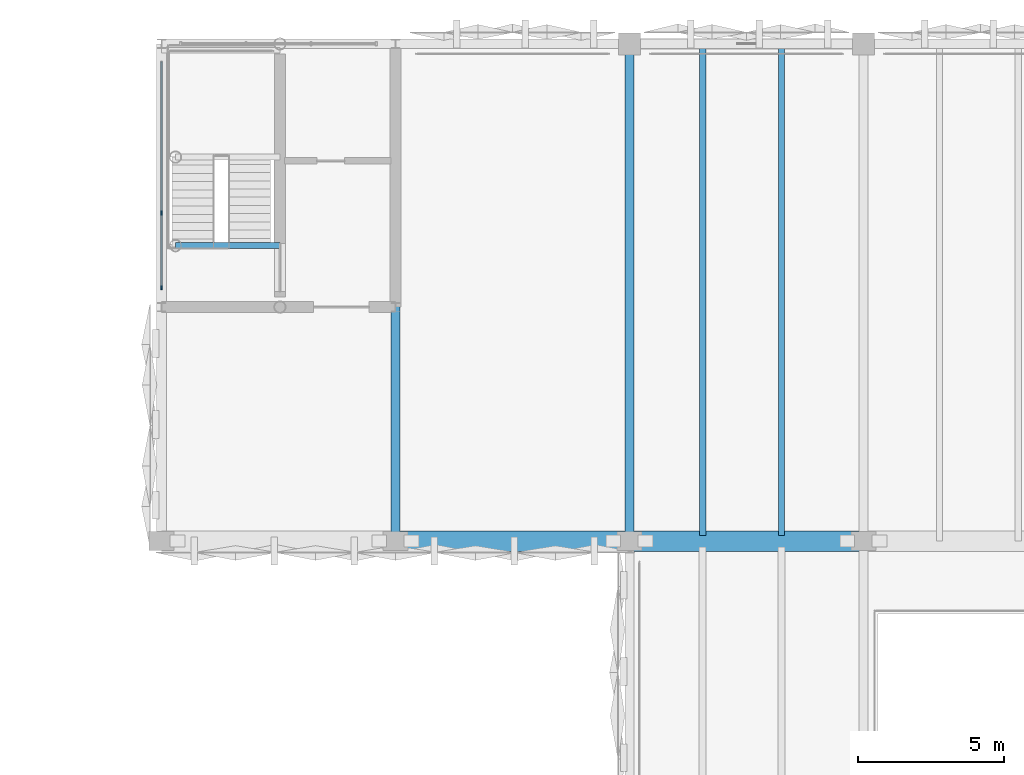
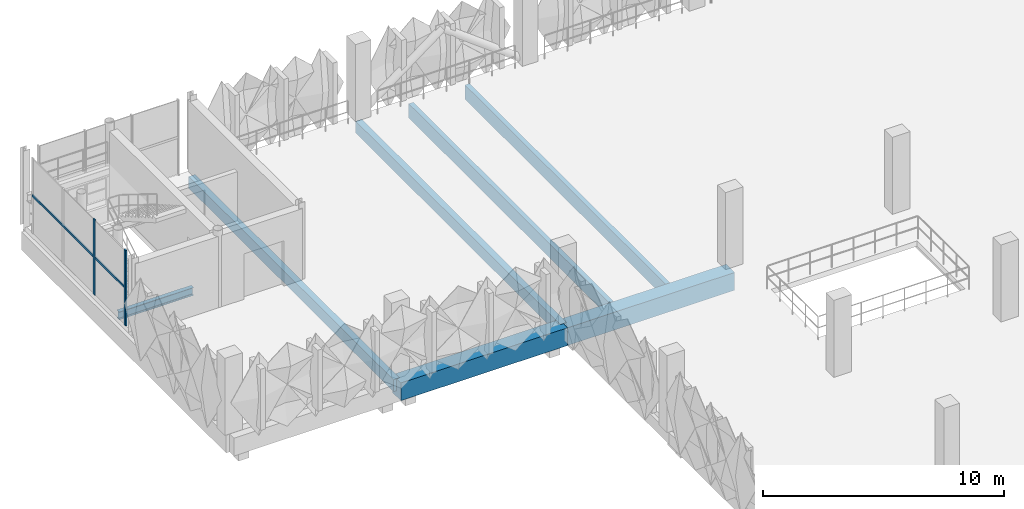
# One storey, part 12 of 83: 7 beams, 3 members, 1 element without a shape of its own.
"""IFC4 building model written with IfcOpenShell, lengths in metres."""

import ifcopenshell
import ifcopenshell.guid

model = None  # the IFC model being written
_history = None  # IfcOwnerHistory: only IFC2X3 demands one
_inside = {}  # id of a spatial element -> (the spatial element, [elements in it])
_under = {}  # id of a project, library or spatial element -> (it, [spatial elements below it])
_declared = {}  # id of a project -> (the project, [libraries it declares])
_typed = {}  # id of a type object -> (the type object, [elements of that type])
_made_of = {}  # id of a material, layer set ... -> (it, [elements and type objects made of it])


def new_model(schema):
    """Start an empty IFC model of exactly this schema.

    Asked for "IFC4X3", IfcOpenShell would pick the latest addendum, in which some entities
    have other attributes; the version numbers below select the first issue.
    IFC2X3 requires an IfcOwnerHistory on every rooted entity: one is made here for all.
    """
    global model, _history
    if schema == "IFC4X3":
        model = ifcopenshell.file(schema_version=(4, 3, 0, 0))
    else:
        model = ifcopenshell.file(schema=schema)
    _inside.clear()
    _under.clear()
    _declared.clear()
    _typed.clear()
    _made_of.clear()
    _history = None
    if model.schema == "IFC2X3":
        org = make("IfcOrganization", Name="unknown")
        user = make(
            "IfcPersonAndOrganization",
            ThePerson=make("IfcPerson", FamilyName="unknown"),
            TheOrganization=org,
        )
        app = make(
            "IfcApplication",
            ApplicationDeveloper=org,
            Version="unknown",
            ApplicationFullName="unknown",
            ApplicationIdentifier="unknown",
        )
        _history = make(
            "IfcOwnerHistory",
            OwningUser=user,
            OwningApplication=app,
            ChangeAction="ADDED",
            CreationDate=0,
        )
    return model


def make(cls, **values):
    """One entity of the class cls with the attributes given. An attribute that is None is left unset."""
    return model.create_entity(
        cls, **{name: value for name, value in values.items() if value is not None}
    )


def rooted(cls, **values):
    """An entity with a GlobalId (a new one), such as an element, a storey or a relation."""
    return make(cls, GlobalId=ifcopenshell.guid.new(), OwnerHistory=_history, **values)


def si_unit(unit_type, name, prefix=None):
    """IfcSIUnit, for example si_unit("LENGTHUNIT", "METRE", prefix="MILLI")."""
    return make("IfcSIUnit", UnitType=unit_type, Prefix=prefix, Name=name)


def derived_unit(unit_type, elements):
    """IfcDerivedUnit: a product of units, each with its exponent."""
    return make(
        "IfcDerivedUnit",
        Elements=[
            make("IfcDerivedUnitElement", Unit=unit, Exponent=power)
            for unit, power in elements
        ],
        UnitType=unit_type,
    )


def assignment(units):
    """IfcUnitAssignment: the units of a project."""
    return None if units is None else make("IfcUnitAssignment", Units=units)


def point(xyz):
    """IfcCartesianPoint."""
    return None if xyz is None else make("IfcCartesianPoint", Coordinates=xyz)


def direction(xyz):
    """IfcDirection."""
    return None if xyz is None else make("IfcDirection", DirectionRatios=xyz)


def frame(location, z_axis=None, x_axis=None):
    """IfcAxis2Placement3D, a coordinate frame: its origin and axes. An axis left out is left unset."""
    return make(
        "IfcAxis2Placement3D",
        Location=point(location),
        Axis=direction(z_axis),
        RefDirection=direction(x_axis),
    )


def frame_2d(location, x_axis=None):
    """IfcAxis2Placement2D, a coordinate frame in the plane: its origin and x axis."""
    return make(
        "IfcAxis2Placement2D", Location=point(location), RefDirection=direction(x_axis)
    )


def origin():
    """The frame at (0, 0, 0) with its axes left unset."""
    return frame((0.0, 0.0, 0.0))


def origin_2d():
    """The frame at (0, 0) in the plane with its x axis left unset."""
    return frame_2d((0.0, 0.0))


def place(relative_to, where):
    """IfcLocalPlacement: puts the frame where relative to a parent placement (None: the world)."""
    return make(
        "IfcLocalPlacement", PlacementRelTo=relative_to, RelativePlacement=where
    )


def context(
    kind, dimensions, precision=None, world=None, true_north=None, identifier=None
):
    """IfcGeometricRepresentationContext, for example the 3D "Model" context."""
    return make(
        "IfcGeometricRepresentationContext",
        ContextIdentifier=identifier,
        ContextType=kind,
        CoordinateSpaceDimension=dimensions,
        Precision=precision,
        WorldCoordinateSystem=world,
        TrueNorth=true_north,
    )


def subcontext(parent, identifier, kind, view, scale=None):
    """IfcGeometricRepresentationSubContext, for example "Body" below "Model"."""
    return make(
        "IfcGeometricRepresentationSubContext",
        ContextIdentifier=identifier,
        ContextType=kind,
        ParentContext=parent,
        TargetScale=scale,
        TargetView=view,
    )


def project(units=None, contexts=None):
    """IfcProject with its units and contexts."""
    return rooted(
        "IfcProject",
        Name="project",
        RepresentationContexts=contexts,
        UnitsInContext=assignment(units),
    )


def spatial(cls, under=None, at=None, **own):
    """A site, building, storey or space (cls), placed at a placement, below another one or the project."""
    s = rooted(cls, ObjectPlacement=at, **own)
    if under is not None:
        _under.setdefault(under.id(), (under, []))[1].append(s)
    return s


def profile(cls, at=None, kind="AREA", **sizes):
    """A parametric profile (cls). Its sizes go by their IFC names, for example OverallWidth=200.0."""
    return make(cls, ProfileType=kind, Position=at, **sizes)


def rectangle(**sizes):
    """IfcRectangleProfileDef."""
    return profile("IfcRectangleProfileDef", **sizes)


def i_section(**sizes):
    """IfcIShapeProfileDef."""
    return profile("IfcIShapeProfileDef", **sizes)


def extrude(swept, where, along, depth):
    """IfcExtrudedAreaSolid: the profile swept, set in the frame where, extruded along a direction by depth."""
    return make(
        "IfcExtrudedAreaSolid",
        SweptArea=swept,
        Position=where,
        ExtrudedDirection=direction(along),
        Depth=depth,
    )


def shape(context_of_items, identifier, shape_type, items):
    """IfcShapeRepresentation: the items that make up one representation, for example the "Body"."""
    return make(
        "IfcShapeRepresentation",
        ContextOfItems=context_of_items,
        RepresentationIdentifier=identifier,
        RepresentationType=shape_type,
        Items=items,
    )


def material(Name=None, Category=None):
    """IfcMaterial."""
    return make("IfcMaterial", Name=Name, Category=Category)


def layer(
    of_material, thickness, ventilated=None, Name=None, Category=None, Priority=None
):
    """IfcMaterialLayer: one layer of a wall or slab, of a material (None: an air gap)."""
    return make(
        "IfcMaterialLayer",
        Material=of_material,
        LayerThickness=thickness,
        IsVentilated=ventilated,
        Name=Name,
        Category=Category,
        Priority=Priority,
    )


def layer_set(layers, Name=None):
    """IfcMaterialLayerSet."""
    return make("IfcMaterialLayerSet", MaterialLayers=layers, LayerSetName=Name)


def material_profile(
    of_material, cross_section, Name=None, Category=None, Priority=None
):
    """IfcMaterialProfile: a cross section and its material."""
    return make(
        "IfcMaterialProfile",
        Name=Name,
        Material=of_material,
        Profile=cross_section,
        Priority=Priority,
        Category=Category,
    )


def profile_set(profiles, Name=None, composite=None):
    """IfcMaterialProfileSet."""
    return make(
        "IfcMaterialProfileSet",
        Name=Name,
        MaterialProfiles=profiles,
        CompositeProfile=composite,
    )


def made_of(thing, what):
    """Note that an element or type object is made of a material, layer set ...; save() writes the relation."""
    if what is not None:
        _made_of.setdefault(what.id(), (what, []))[1].append(thing)
    return thing


def type_object(cls, material=None, **own):
    """A type object (cls), such as IfcWallType, which elements share."""
    return made_of(rooted(cls, **own), material)


def element(
    cls,
    number,
    at=None,
    inside=None,
    cuts=None,
    type_object=None,
    material=None,
    context=None,
    identifier="Body",
    shape_type=None,
    held_by="IfcProductDefinitionShape",
    body=None,
    shapes=None,
    **own,
):
    """One element of the class cls, such as IfcWall. Its Tag is "e" and its number.

    at: its placement. inside: the storey or other place that contains it. cuts: it is an
    opening in that element (IfcRelVoidsElement). A single representation is given by context,
    identifier, shape_type and body (its items); several are given by shapes. held_by: the class
    of the entity that holds the representations. save() writes the other relations.
    """
    e = rooted(cls, Tag="e%d" % number, ObjectPlacement=at, **own)
    if body is not None:
        shapes = [shape(context, identifier, shape_type, body)]
    if shapes is not None:
        e.Representation = make(held_by, Representations=shapes)
    if inside is not None:
        _inside.setdefault(inside.id(), (inside, []))[1].append(e)
    if cuts is not None:
        rooted(
            "IfcRelVoidsElement", RelatingBuildingElement=cuts, RelatedOpeningElement=e
        )
    if type_object is not None:
        _typed.setdefault(type_object.id(), (type_object, []))[1].append(e)
    return made_of(e, material)


def aggregate(whole, parts):
    """IfcRelAggregates: a whole, such as a stair, and the parts it consists of."""
    return rooted("IfcRelAggregates", RelatingObject=whole, RelatedObjects=parts)


def save(model, path):
    """Write the relations noted so far, then the file.

    IfcRelAggregates (storeys below a building ...), IfcRelContainedInSpatialStructure (elements
    in a storey), IfcRelDefinesByType, IfcRelAssociatesMaterial and IfcRelDeclares: one each for
    every whole, place, type object, material and project.
    """
    for whole, parts in _under.values():
        aggregate(whole, parts)
    for where, things in _inside.values():
        rooted(
            "IfcRelContainedInSpatialStructure",
            RelatedElements=things,
            RelatingStructure=where,
        )
    for kind, things in _typed.values():
        rooted("IfcRelDefinesByType", RelatedObjects=things, RelatingType=kind)
    for what, things in _made_of.values():
        rooted("IfcRelAssociatesMaterial", RelatedObjects=things, RelatingMaterial=what)
    for by, libraries in _declared.values():
        rooted("IfcRelDeclares", RelatingContext=by, RelatedDefinitions=libraries)
    model.write(path)


model = new_model("IFC4")

# Units and contexts
model_context = context("Model", 3, precision=1e-05, world=origin(), true_north=direction((0.0, 1.0)))
body_context = subcontext(model_context, "Body", "Model", "MODEL_VIEW")
ifc_project = project(units=[si_unit("LENGTHUNIT", "METRE"), si_unit("AREAUNIT", "SQUARE_METRE"), si_unit("VOLUMEUNIT", "CUBIC_METRE"), si_unit("PLANEANGLEUNIT", "RADIAN"), si_unit("MASSUNIT", "GRAM", prefix="KILO"), si_unit("THERMODYNAMICTEMPERATUREUNIT", "KELVIN"), derived_unit("THERMALTRANSMITTANCEUNIT", [(si_unit("POWERUNIT", "WATT"), 1), (si_unit("AREAUNIT", "SQUARE_METRE"), -1), (si_unit("THERMODYNAMICTEMPERATUREUNIT", "KELVIN"), -1)])], contexts=[model_context])

# Site, building, storey
site_placement = place(None, origin())
site = spatial("IfcSite", under=ifc_project, at=site_placement, CompositionType="ELEMENT")
building_placement = place(site_placement, origin())
building = spatial("IfcBuilding", under=site, at=building_placement, Name="Haiyu Intermodal Mobility Hub", CompositionType="ELEMENT")
storey_placement = place(building_placement, frame((0.0, 0.0, 13.39990234375)))
storey = spatial("IfcBuildingStorey", under=building, at=storey_placement, Name="L03", CompositionType="ELEMENT", Elevation=13.39990234375)

# Beams
ifc_material_1 = material(Name="Concrete C40", Category="concrete")
ifc_material_profile_1 = material_profile(ifc_material_1, rectangle(XDim=0.300048828125, YDim=0.60009765625, at=origin_2d()), Name="RCB300x600")
ifc_profile_set_1 = profile_set([ifc_material_profile_1], Name="Concrete C40")
beam_type_1 = type_object("IfcBeamType", Name="BM-CB07", PredefinedType="JOIST", material=ifc_profile_set_1)
for number, where, z_axis, x_axis, name in (
    (1, (30.0, 131.0, -0.574951171875), (0.0, 1.0, 0.0), (-1.0, 0.0, 0.0), "BM-V4E-L03-002"),
    (2, (38.0, 131.0, -0.574951171875), (0.0, 1.0, 0.0), (-1.0, 0.0, 0.0), "BM-V4E-L03-005"),
):
    element("IfcBeam", number, at=place(storey_placement, frame(where, z_axis=z_axis, x_axis=x_axis)), inside=storey, type_object=beam_type_1, Name=name, PredefinedType="JOIST", context=body_context, shape_type="SweptSolid", body=[
        extrude(rectangle(XDim=0.300048828125, YDim=0.60009765625, at=origin_2d()), origin(), (0.0, 0.0, 1.0), 17.0),
    ])
ifc_material_2 = material(Name="Precast concrete C50", Category="concrete")
ifc_material_profile_2 = material_profile(ifc_material_2, rectangle(XDim=0.219970703125, YDim=0.719970703125, at=origin_2d()), Name="PC220x720")
ifc_profile_set_2 = profile_set([ifc_material_profile_2], Name="Precast concrete C50")
beam_type_2 = type_object("IfcBeamType", Name="BM-DT02", PredefinedType="JOIST", material=ifc_profile_set_2)
for number, where, z_axis, x_axis, name in (
    (3, (40.5, 131.195068359375, -0.635009765625), (0.0, 1.0, 0.0), (-1.0, 0.0, 0.0), "BM-DT-L03-003"),
    (4, (43.199951171875, 131.195068359375, -0.635009765625), (0.0, 1.0, 0.0), (-1.0, 0.0, 0.0), "BM-DT-L03-006"),
):
    element("IfcBeam", number, at=place(storey_placement, frame(where, z_axis=z_axis, x_axis=x_axis)), inside=storey, type_object=beam_type_2, Name=name, PredefinedType="JOIST", context=body_context, shape_type="SweptSolid", body=[
        extrude(rectangle(XDim=0.219970703125, YDim=0.719970703125, at=origin_2d()), origin(), (0.0, 0.0, 1.0), 16.804931640625),
    ])
ifc_material_profile_3 = material_profile(ifc_material_2, rectangle(XDim=0.699951171875, YDim=0.89990234375, at=origin_2d()), Name="PC700x900")
ifc_profile_set_3 = profile_set([ifc_material_profile_3], Name="Precast concrete C50")
beam_type_3 = type_object("IfcBeamType", Name="BM-IT02", PredefinedType="T_BEAM", material=ifc_profile_set_3)
for number, where, z_axis, x_axis, name in (
    (5, (30.0, 131.0, -0.724853515625), (1.0, 0.0, 0.0), (0.0, 1.0, 0.0), "BM-V4G-L03-026"),
    (6, (38.0, 131.0, -0.724853515625), (1.0, 0.0, 0.0), (0.0, 1.0, 0.0), "BM-V4G-L03-027"),
):
    element("IfcBeam", number, at=place(storey_placement, frame(where, z_axis=z_axis, x_axis=x_axis)), inside=storey, type_object=beam_type_3, Name=name, PredefinedType="T_BEAM", context=body_context, shape_type="SweptSolid", body=[
        extrude(rectangle(XDim=0.699951171875, YDim=0.89990234375, at=origin_2d()), origin(), (0.0, 0.0, 1.0), 8.0),
    ])
ifc_material_3 = material(Name="Steel Q355C", Category="steel")
ifc_material_profile_4 = material_profile(ifc_material_3, i_section(OverallWidth=0.199951171875, OverallDepth=0.39990234375, WebThickness=0.008056640625, FlangeThickness=0.012939453125, FilletRadius=0.01611328125, at=origin_2d()), Name="HN400x200x8x13")
ifc_profile_set_4 = profile_set([ifc_material_profile_4], Name="Steel Q355C")
beam_type_4 = type_object("IfcBeamType", Name="BM-SB08", PredefinedType="JOIST", material=ifc_profile_set_4)
beam_placement = place(storey_placement, frame((22.47998046875, 141.10009765625, -0.52490234375), z_axis=(1.0, 0.0, 0.0), x_axis=(0.0, 1.0, 0.0)))
element("IfcBeam", 7, at=beam_placement, inside=storey, type_object=beam_type_4, Name="Stair Arrival Trimmer Beam C3-L02", PredefinedType="JOIST", context=body_context, shape_type="SweptSolid", body=[
    extrude(i_section(OverallWidth=0.199951171875, OverallDepth=0.39990234375, WebThickness=0.008056640625, FlangeThickness=0.012939453125, FilletRadius=0.01611328125, at=origin_2d()), origin(), (0.0, 0.0, 1.0), 3.570068359375),
])

# Curtain wall, members
ifc_material_4 = material(Name="Low-e laminated insulating glass", Category="glass")
ifc_layer = layer(ifc_material_4, 0.199951171875)
ifc_layer_set = layer_set([ifc_layer], Name="Low-e laminated insulating glass")
curtain_wall_type = type_object("IfcCurtainWallType", Name="CW-CW03", PredefinedType="NOTDEFINED", material=ifc_layer_set)
curtain_wall_placement = place(storey_placement, origin())
curtain_wall = element("IfcCurtainWall", 8, at=curtain_wall_placement, inside=storey, type_object=curtain_wall_type, Name="Curtain Wall CW-C3S-L03-056", PredefinedType="NOTDEFINED")
ifc_material_5 = material(Name="Anodised aluminium 6063-T6", Category="aluminium")
ifc_material_profile_5 = material_profile(ifc_material_5, rectangle(XDim=0.06005859375, YDim=0.14501953125, at=origin_2d()), Name="ALU60x145")
ifc_profile_set_5 = profile_set([ifc_material_profile_5], Name="Anodised aluminium 6063-T6")
member_type_1 = type_object("IfcMemberType", Name="CWM-ML03", PredefinedType="MULLION", material=ifc_profile_set_5)
member_1_placement = place(storey_placement, frame((22.0, 142.219970703125, 0.0), z_axis=(0.0, 0.0, 1.0), x_axis=(1.0, 0.0, 0.0)))
member_1 = element("IfcMember", 9, at=member_1_placement, type_object=member_type_1, Name="CW-C3S-L03-056-ML03", PredefinedType="MULLION", context=body_context, shape_type="SweptSolid", body=[
    extrude(rectangle(XDim=0.06005859375, YDim=0.14501953125, at=origin_2d()), origin(), (0.0, 0.0, 1.0), 3.820068359375),
])
member_2_placement = place(storey_placement, frame((22.0, 139.659912109375, 0.0), z_axis=(0.0, 0.0, 1.0), x_axis=(1.0, 0.0, 0.0)))
member_2 = element("IfcMember", 10, at=member_2_placement, type_object=member_type_1, Name="CW-C3S-L03-056-ML04", PredefinedType="MULLION", context=body_context, shape_type="SweptSolid", body=[
    extrude(rectangle(XDim=0.06005859375, YDim=0.14501953125, at=origin_2d()), origin(), (0.0, 0.0, 1.0), 3.820068359375),
])
ifc_material_profile_6 = material_profile(ifc_material_5, rectangle(XDim=0.06005859375, YDim=0.114990234375, at=origin_2d()), Name="ALU60x115")
ifc_profile_set_6 = profile_set([ifc_material_profile_6], Name="Anodised aluminium 6063-T6")
member_type_2 = type_object("IfcMemberType", Name="CWM-TR03", PredefinedType="USERDEFINED", material=ifc_profile_set_6)
member_3_placement = place(storey_placement, frame((22.0, 147.3798828125, 1.91015625), z_axis=(0.0, -1.0, 0.0), x_axis=(1.0, 0.0, 0.0)))
member_3 = element("IfcMember", 11, at=member_3_placement, type_object=member_type_2, Name="CW-C3S-L03-056-TR01", ObjectType="TRANSOM", PredefinedType="USERDEFINED", context=body_context, shape_type="SweptSolid", body=[
    extrude(rectangle(XDim=0.06005859375, YDim=0.114990234375, at=origin_2d()), origin(), (0.0, 0.0, 1.0), 7.759765625),
])
aggregate(curtain_wall, [member_1, member_2, member_3])

save(model, "model.ifc")
